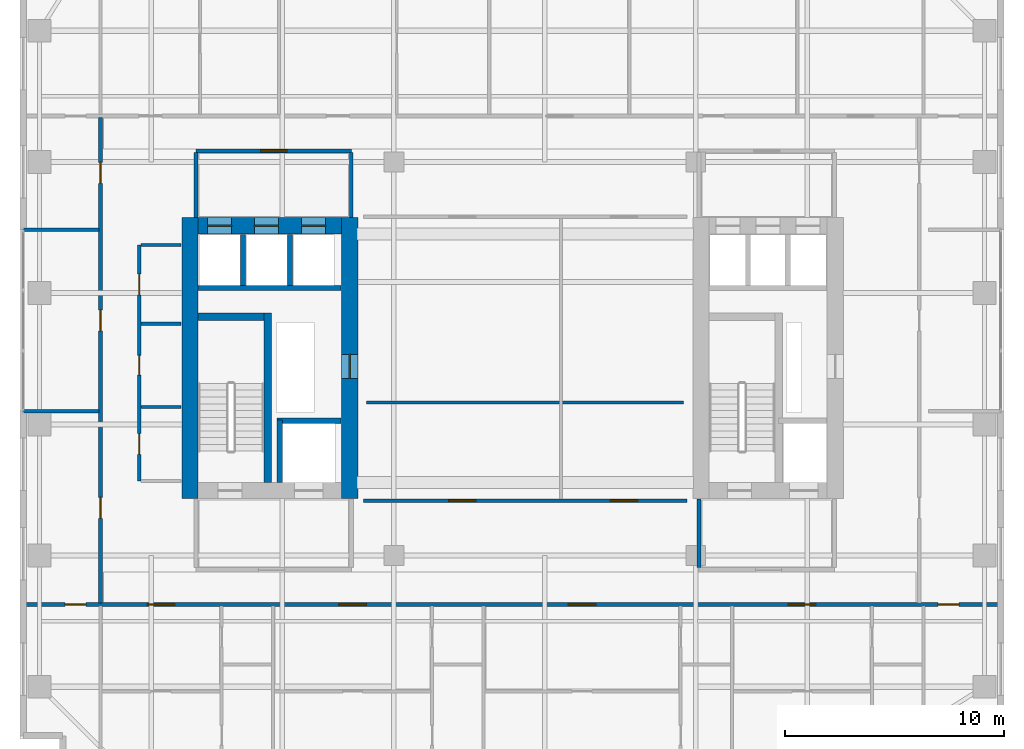
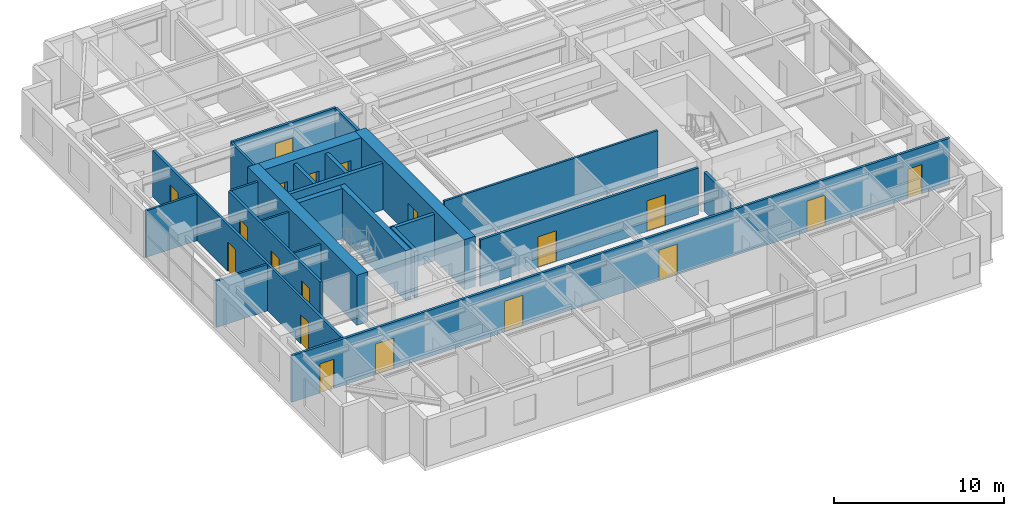
# One storey, part 13 of 20: 24 walls, 19 doors, 19 openings.
"""IFC4 building model written with IfcOpenShell, lengths in metres."""

from ifc_helpers import new_model, si_unit, direction, frame, frame_2d, origin, place, context, subcontext, project, spatial, rectangle, extrude, source, transform, mapped, material, layer, layer_set, type_object, element, fill, save


model = new_model("IFC4")

# Units and contexts
model_context = context("Model", 3, precision=1e-05, world=origin(), true_north=direction((0.0, 1.0)))
body_context = subcontext(model_context, "Body", "Model", "MODEL_VIEW")
ifc_project = project(units=[si_unit("LENGTHUNIT", "METRE"), si_unit("AREAUNIT", "SQUARE_METRE"), si_unit("VOLUMEUNIT", "CUBIC_METRE"), si_unit("PLANEANGLEUNIT", "RADIAN"), si_unit("MASSUNIT", "GRAM", prefix="KILO")], contexts=[model_context])

# Site, building, storey
site_placement = place(None, origin())
site = spatial("IfcSite", under=ifc_project, at=site_placement, CompositionType="ELEMENT")
building_placement = place(site_placement, origin())
building = spatial("IfcBuilding", under=site, at=building_placement, Name="Khoralis Quay Care Tower", CompositionType="ELEMENT")
storey_placement = place(building_placement, frame((0.0, 0.0, 116.10009765625)))
storey = spatial("IfcBuildingStorey", under=building, at=storey_placement, Name="L30", CompositionType="ELEMENT", Elevation=116.10009765625)

# Walls
ifc_material_1 = material(Name="Gypsum plasterboard on acoustic metal stud")
ifc_layer_1 = layer(ifc_material_1, 0.199951171875)
ifc_layer_set_1 = layer_set([ifc_layer_1], Name="Gypsum plasterboard on acoustic metal stud")
wall_type_1 = type_object("IfcWallType", Name="WL-COMP-200", PredefinedType="PARTITIONING", material=ifc_layer_set_1)
wall_1_placement = place(storey_placement, frame((31.050048828125, 11.445068359375, 0.0), z_axis=(0.0, 0.0, 1.0), x_axis=(0.0, 1.0, 0.0)))
element("IfcWall", 1, at=wall_1_placement, inside=storey, type_object=wall_type_1, Name="L30 East Firefighting Lobby West Wall", PredefinedType="PARTITIONING", context=body_context, shape_type="SweptSolid", body=[
    extrude(rectangle(XDim=3.135009765625, YDim=0.199951171875, at=frame_2d((1.5673828125, 0.0))), origin(), (0.0, 0.0, 1.0), 2.7958984375),
])
ifc_material_2 = material(Name="Concrete C80/95", Category="concrete")
ifc_layer_2 = layer(ifc_material_2, 0.75)
ifc_layer_set_2 = layer_set([ifc_layer_2], Name="Concrete C80/95")
wall_type_2 = type_object("IfcWallType", Name="WL-CORE-750", PredefinedType="SHEAR", material=ifc_layer_set_2)
wall_2_placement = place(storey_placement, frame((7.77490234375, 14.60009765625, 0.0), z_axis=(0.0, 0.0, 1.0), x_axis=(0.0, 1.0, 0.0)))
element("IfcWall", 2, at=wall_2_placement, inside=storey, type_object=wall_type_2, Name="L30 WCORE West Shear Wall", PredefinedType="SHEAR", context=body_context, shape_type="SweptSolid", body=[
    extrude(rectangle(XDim=12.849853515625, YDim=0.75, at=frame_2d((6.4248046875, 0.0))), origin(), (0.0, 0.0, 1.0), 3.599853515625),
])

# Wall, opening, door
wall_3_placement = place(storey_placement, frame((15.074951171875, 14.60009765625, 0.0), z_axis=(0.0, 0.0, 1.0), x_axis=(0.0, 1.0, 0.0)))
wall_3 = element("IfcWall", 3, at=wall_3_placement, inside=storey, type_object=wall_type_2, Name="L30 WCORE East Shear Wall", PredefinedType="SHEAR", context=body_context, shape_type="SweptSolid", body=[
    extrude(rectangle(XDim=12.849853515625, YDim=0.75, at=frame_2d((6.4248046875, 0.0))), origin(), (0.0, 0.0, 1.0), 3.599853515625),
])
opening_1_placement = place(wall_3_placement, frame((5.5, 0.0, 0.0)))
opening_1 = element("IfcOpeningElement", 4, at=opening_1_placement, cuts=wall_3, Name="Opening SD1", PredefinedType="OPENING", context=body_context, shape_type="SweptSolid", body=[
    extrude(rectangle(XDim=1.10009765625, YDim=2.199951171875, at=frame_2d((0.550048828125, 1.10009765625))), frame((0.0, 0.385009765625, 0.0), z_axis=(0.0, -1.0, 0.0), x_axis=(1.0, 0.0, 0.0)), (0.0, 0.0, 1.0), 0.77001953125),
])
ifc_material_3 = material(Name="Fire-rated painted steel", Category="steel")
door_type_1 = type_object("IfcDoorType", Name="DR-STAIR-1100X2200", OperationType="NOTDEFINED", PredefinedType="DOOR", material=ifc_material_3)
shared_shape_1 = source(origin(), body_context, "Body", "SweptSolid", [
    extrude(rectangle(XDim=1.10009765625, YDim=2.199951171875, at=frame_2d((0.550048828125, 1.10009765625))), frame((0.0, 0.02490234375, 0.0), z_axis=(0.0, -1.0, 0.0), x_axis=(1.0, 0.0, 0.0)), (0.0, 0.0, 1.0), 0.050048828125),
])
door_1_placement = place(opening_1_placement, origin())
door_1 = element("IfcDoor", 5, at=door_1_placement, inside=storey, type_object=door_type_1, Name="L30 West MEP Riser Door", OperationType="SINGLE_SWING_RIGHT", OverallHeight=2.199951171875, OverallWidth=1.10009765625, PredefinedType="DOOR", context=body_context, shape_type="MappedRepresentation", body=[
    mapped(shared_shape_1, transform((0.0, 0.0, 0.0), scale=1.0)),
])
fill(opening_1, door_1)

# Wall, openings, doors
wall_4_placement = place(storey_placement, frame((8.14990234375, 27.074951171875, 0.0), z_axis=(0.0, 0.0, 1.0), x_axis=(1.0, 0.0, 0.0)))
wall_4 = element("IfcWall", 6, at=wall_4_placement, inside=storey, type_object=wall_type_2, Name="L30 WCORE North Shear Wall", PredefinedType="SHEAR", context=body_context, shape_type="SweptSolid", body=[
    extrude(rectangle(XDim=6.550048828125, YDim=0.75, at=frame_2d((3.27490234375, 0.0))), origin(), (0.0, 0.0, 1.0), 3.599853515625),
])
opening_2_placement = place(wall_4_placement, frame((0.429931640625, 0.0, 0.0)))
opening_2 = element("IfcOpeningElement", 7, at=opening_2_placement, cuts=wall_4, Name="Opening LD1", PredefinedType="OPENING", context=body_context, shape_type="SweptSolid", body=[
    extrude(rectangle(XDim=1.10009765625, YDim=2.199951171875, at=frame_2d((0.550048828125, 1.10009765625))), frame((0.0, 0.385009765625, 0.0), z_axis=(0.0, -1.0, 0.0), x_axis=(1.0, 0.0, 0.0)), (0.0, 0.0, 1.0), 0.77001953125),
])
opening_3_placement = place(wall_4_placement, frame((2.570068359375, 0.0, 0.0)))
opening_3 = element("IfcOpeningElement", 8, at=opening_3_placement, cuts=wall_4, Name="Opening LD1", PredefinedType="OPENING", context=body_context, shape_type="SweptSolid", body=[
    extrude(rectangle(XDim=1.10009765625, YDim=2.199951171875, at=frame_2d((0.550048828125, 1.10009765625))), frame((0.0, 0.385009765625, 0.0), z_axis=(0.0, -1.0, 0.0), x_axis=(1.0, 0.0, 0.0)), (0.0, 0.0, 1.0), 0.77001953125),
])
opening_4_placement = place(wall_4_placement, frame((4.72998046875, 0.0, 0.0)))
opening_4 = element("IfcOpeningElement", 9, at=opening_4_placement, cuts=wall_4, Name="Opening LD1", PredefinedType="OPENING", context=body_context, shape_type="SweptSolid", body=[
    extrude(rectangle(XDim=1.10009765625, YDim=2.199951171875, at=frame_2d((0.550048828125, 1.10009765625))), frame((0.0, 0.385009765625, 0.0), z_axis=(0.0, -1.0, 0.0), x_axis=(1.0, 0.0, 0.0)), (0.0, 0.0, 1.0), 0.77001953125),
])
ifc_material_4 = material(Name="Brushed stainless steel", Category="steel")
door_type_2 = type_object("IfcDoorType", Name="DR-LIFT-1100X2200", OperationType="SLIDING_TO_LEFT", PredefinedType="DOOR", material=ifc_material_4)
shared_shape_2 = source(origin(), body_context, "Body", "SweptSolid", [
    extrude(rectangle(XDim=1.10009765625, YDim=2.199951171875, at=frame_2d((0.550048828125, 1.10009765625))), frame((0.0, 0.02490234375, 0.0), z_axis=(0.0, -1.0, 0.0), x_axis=(1.0, 0.0, 0.0)), (0.0, 0.0, 1.0), 0.050048828125),
])
door_2_placement = place(opening_2_placement, origin())
door_2 = element("IfcDoor", 10, at=door_2_placement, inside=storey, type_object=door_type_2, Name="L30 Lift PLL1 Landing Door", OperationType="SLIDING_TO_LEFT", OverallHeight=2.199951171875, OverallWidth=1.10009765625, PredefinedType="DOOR", context=body_context, shape_type="MappedRepresentation", body=[
    mapped(shared_shape_2, transform((0.0, 0.0, 0.0), scale=1.0)),
])
fill(opening_2, door_2)
door_3_placement = place(opening_3_placement, origin())
door_3 = element("IfcDoor", 11, at=door_3_placement, inside=storey, type_object=door_type_2, Name="L30 Lift PLM1 Landing Door", OperationType="SLIDING_TO_LEFT", OverallHeight=2.199951171875, OverallWidth=1.10009765625, PredefinedType="DOOR", context=body_context, shape_type="MappedRepresentation", body=[
    mapped(shared_shape_2, transform((0.0, 0.0, 0.0), scale=1.0)),
])
fill(opening_3, door_3)
door_4_placement = place(opening_4_placement, origin())
door_4 = element("IfcDoor", 12, at=door_4_placement, inside=storey, type_object=door_type_2, Name="L30 Lift PLH1 Landing Door", OperationType="SLIDING_TO_LEFT", OverallHeight=2.199951171875, OverallWidth=1.10009765625, PredefinedType="DOOR", context=body_context, shape_type="MappedRepresentation", body=[
    mapped(shared_shape_2, transform((0.0, 0.0, 0.0), scale=1.0)),
])
fill(opening_4, door_4)

# Wall, opening, door
ifc_layer_3 = layer(ifc_material_1, 0.1650390625)
ifc_layer_set_3 = layer_set([ifc_layer_3], Name="Gypsum plasterboard on acoustic metal stud")
wall_type_3 = type_object("IfcWallType", Name="WL-CORR-165", PredefinedType="PARTITIONING", material=ifc_layer_set_3)
wall_5_placement = place(storey_placement, frame((8.050048828125, 30.5, 0.0), z_axis=(0.0, 0.0, 1.0), x_axis=(1.0, 0.0, 0.0)))
wall_5 = element("IfcWall", 13, at=wall_5_placement, inside=storey, type_object=wall_type_3, Name="L30 West Lift Lobby North Wall", PredefinedType="PARTITIONING", context=body_context, shape_type="SweptSolid", body=[
    extrude(rectangle(XDim=7.099853515625, YDim=0.1650390625, at=frame_2d((3.5498046875, 0.0))), origin(), (0.0, 0.0, 1.0), 3.33984375),
])
opening_5_placement = place(wall_5_placement, frame((2.949951171875, 0.0, 0.0)))
opening_5 = element("IfcOpeningElement", 14, at=opening_5_placement, cuts=wall_5, Name="Opening FD1", PredefinedType="OPENING", context=body_context, shape_type="SweptSolid", body=[
    extrude(rectangle(XDim=1.199951171875, YDim=2.199951171875, at=frame_2d((0.60009765625, 1.10009765625))), frame((0.0, 0.092529296875, 0.0), z_axis=(0.0, -1.0, 0.0), x_axis=(1.0, 0.0, 0.0)), (0.0, 0.0, 1.0), 0.18505859375),
])
door_type_3 = type_object("IfcDoorType", Name="DR-FFL-1200X2200", OperationType="NOTDEFINED", PredefinedType="DOOR", material=ifc_material_3)
shared_shape_3 = source(origin(), body_context, "Body", "SweptSolid", [
    extrude(rectangle(XDim=1.199951171875, YDim=2.199951171875, at=frame_2d((0.60009765625, 1.10009765625))), frame((0.0, 0.02490234375, 0.0), z_axis=(0.0, -1.0, 0.0), x_axis=(1.0, 0.0, 0.0)), (0.0, 0.0, 1.0), 0.050048828125),
])
door_5_placement = place(opening_5_placement, origin())
door_5 = element("IfcDoor", 15, at=door_5_placement, inside=storey, type_object=door_type_3, Name="L30 West Lift Lobby Double Door", OperationType="DOUBLE_DOOR_SINGLE_SWING", OverallHeight=2.199951171875, OverallWidth=1.199951171875, PredefinedType="DOOR", context=body_context, shape_type="MappedRepresentation", body=[
    mapped(shared_shape_3, transform((0.0, 0.0, 0.0), scale=1.0)),
])
fill(opening_5, door_5)

# Walls
for number, where, z_axis, x_axis, name in (
    (16, (8.050048828125, 27.469970703125, 0.0), (0.0, 0.0, 1.0), (0.0, 1.0, 0.0), "L30 West Lift Lobby West Wall"),
    (17, (15.14990234375, 27.469970703125, 0.0), (0.0, 0.0, 1.0), (0.0, 1.0, 0.0), "L30 West Lift Lobby East Wall"),
):
    element("IfcWall", number, at=place(storey_placement, frame(where, z_axis=z_axis, x_axis=x_axis)), inside=storey, type_object=wall_type_3, Name=name, PredefinedType="PARTITIONING", context=body_context, shape_type="SweptSolid", body=[
        extrude(rectangle(XDim=2.95263671875, YDim=0.1650390625, at=frame_2d((1.476318359375, 0.0))), origin(), (0.0, 0.0, 1.0), 3.33984375),
    ])

# Wall, openings, doors
wall_6_placement = place(storey_placement, frame((5.449951171875, 15.39990234375, 0.0), z_axis=(0.0, 0.0, 1.0), x_axis=(0.0, 1.0, 0.0)))
wall_6 = element("IfcWall", 18, at=wall_6_placement, inside=storey, type_object=wall_type_3, Name="L30 West Core Service Flank Wall", PredefinedType="PARTITIONING", context=body_context, shape_type="SweptSolid", body=[
    extrude(rectangle(XDim=10.800048828125, YDim=0.1650390625, at=frame_2d((5.39990234375, 0.0))), origin(), (0.0, 0.0, 1.0), 3.33984375),
])
opening_6_placement = place(wall_6_placement, frame((1.22509765625, 0.0, 0.0)))
opening_6 = element("IfcOpeningElement", 19, at=opening_6_placement, cuts=wall_6, Name="Opening ID1", PredefinedType="OPENING", context=body_context, shape_type="SweptSolid", body=[
    extrude(rectangle(XDim=0.949951171875, YDim=2.10009765625, at=frame_2d((0.47509765625, 1.050048828125))), frame((0.0, 0.092529296875, 0.0), z_axis=(0.0, -1.0, 0.0), x_axis=(1.0, 0.0, 0.0)), (0.0, 0.0, 1.0), 0.18505859375),
])
opening_7_placement = place(wall_6_placement, frame((4.85009765625, 0.0, 0.0)))
opening_7 = element("IfcOpeningElement", 20, at=opening_7_placement, cuts=wall_6, Name="Opening WD1", PredefinedType="OPENING", context=body_context, shape_type="SweptSolid", body=[
    extrude(rectangle(XDim=0.89990234375, YDim=2.10009765625, at=frame_2d((0.449951171875, 1.050048828125))), frame((0.0, 0.092529296875, 0.0), z_axis=(0.0, -1.0, 0.0), x_axis=(1.0, 0.0, 0.0)), (0.0, 0.0, 1.0), 0.18505859375),
])
opening_8_placement = place(wall_6_placement, frame((8.52490234375, 0.0, 0.0)))
opening_8 = element("IfcOpeningElement", 21, at=opening_8_placement, cuts=wall_6, Name="Opening ID1", PredefinedType="OPENING", context=body_context, shape_type="SweptSolid", body=[
    extrude(rectangle(XDim=0.949951171875, YDim=2.10009765625, at=frame_2d((0.47509765625, 1.050048828125))), frame((0.0, 0.092529296875, 0.0), z_axis=(0.0, -1.0, 0.0), x_axis=(1.0, 0.0, 0.0)), (0.0, 0.0, 1.0), 0.18505859375),
])
ifc_material_5 = material(Name="Acoustic hardwood timber", Category="wood")
door_type_4 = type_object("IfcDoorType", Name="DR-BATH-900X2100", OperationType="NOTDEFINED", PredefinedType="DOOR", material=ifc_material_5)
shared_shape_4 = source(origin(), body_context, "Body", "SweptSolid", [
    extrude(rectangle(XDim=0.89990234375, YDim=2.10009765625, at=frame_2d((0.449951171875, 1.050048828125))), frame((0.0, 0.02490234375, 0.0), z_axis=(0.0, -1.0, 0.0), x_axis=(1.0, 0.0, 0.0)), (0.0, 0.0, 1.0), 0.050048828125),
])
door_6_placement = place(opening_7_placement, frame((0.89990234375, 0.0, 0.0), z_axis=(0.0, 0.0, 1.0), x_axis=(-1.0, 0.0, 0.0)))
door_6 = element("IfcDoor", 22, at=door_6_placement, inside=storey, type_object=door_type_4, Name="L30 Public Accessible WC Door", OperationType="SINGLE_SWING_RIGHT", OverallHeight=2.10009765625, OverallWidth=0.89990234375, PredefinedType="DOOR", context=body_context, shape_type="MappedRepresentation", body=[
    mapped(shared_shape_4, transform((0.0, 0.0, 0.0), scale=1.0)),
])
fill(opening_7, door_6)
door_type_5 = type_object("IfcDoorType", Name="DR-ROOM-950X2100", OperationType="NOTDEFINED", PredefinedType="DOOR", material=ifc_material_5)
shared_shape_5 = source(origin(), body_context, "Body", "SweptSolid", [
    extrude(rectangle(XDim=0.949951171875, YDim=2.10009765625, at=frame_2d((0.47509765625, 1.050048828125))), frame((0.0, 0.02490234375, 0.0), z_axis=(0.0, -1.0, 0.0), x_axis=(1.0, 0.0, 0.0)), (0.0, 0.0, 1.0), 0.050048828125),
])
door_7_placement = place(opening_6_placement, frame((0.949951171875, 0.0, 0.0), z_axis=(0.0, 0.0, 1.0), x_axis=(-1.0, 0.0, 0.0)))
door_7 = element("IfcDoor", 23, at=door_7_placement, inside=storey, type_object=door_type_5, Name="L30 Clean Utility Store Door", OperationType="SINGLE_SWING_LEFT", OverallHeight=2.10009765625, OverallWidth=0.949951171875, PredefinedType="DOOR", context=body_context, shape_type="MappedRepresentation", body=[
    mapped(shared_shape_5, transform((0.0, 0.0, 0.0), scale=1.0)),
])
fill(opening_6, door_7)
door_8_placement = place(opening_8_placement, frame((0.949951171875, 0.0, 0.0), z_axis=(0.0, 0.0, 1.0), x_axis=(-1.0, 0.0, 0.0)))
door_8 = element("IfcDoor", 24, at=door_8_placement, inside=storey, type_object=door_type_5, Name="L30 Electrical Switchboard Room Door", OperationType="SINGLE_SWING_LEFT", OverallHeight=2.10009765625, OverallWidth=0.949951171875, PredefinedType="DOOR", context=body_context, shape_type="MappedRepresentation", body=[
    mapped(shared_shape_5, transform((0.0, 0.0, 0.0), scale=1.0)),
])
fill(opening_8, door_8)

wall_7_placement = place(storey_placement, frame((0.14501953125, 9.760009765625, 0.0), z_axis=(0.0, 0.0, 1.0), x_axis=(1.0, 0.0, 0.0)))
wall_7 = element("IfcWall", 25, at=wall_7_placement, inside=storey, type_object=wall_type_3, Name="L30 South Main Corridor Wall", PredefinedType="PARTITIONING", context=body_context, shape_type="SweptSolid", body=[
    extrude(rectangle(XDim=44.7099609375, YDim=0.1650390625, at=frame_2d((22.35498046875, 0.0))), origin(), (0.0, 0.0, 1.0), 3.33984375),
])
opening_9_placement = place(wall_7_placement, frame((5.679931640625, 0.0, 0.0)))
opening_9 = element("IfcOpeningElement", 26, at=opening_9_placement, cuts=wall_7, Name="Opening CD1", PredefinedType="OPENING", context=body_context, shape_type="SweptSolid", body=[
    extrude(rectangle(XDim=1.25, YDim=2.199951171875, at=frame_2d((0.625, 1.10009765625))), frame((0.0, 0.092529296875, 0.0), z_axis=(0.0, -1.0, 0.0), x_axis=(1.0, 0.0, 0.0)), (0.0, 0.0, 1.0), 0.18505859375),
])
opening_10_placement = place(wall_7_placement, frame((14.43994140625, 0.0, 0.0)))
opening_10 = element("IfcOpeningElement", 27, at=opening_10_placement, cuts=wall_7, Name="Opening CD1", PredefinedType="OPENING", context=body_context, shape_type="SweptSolid", body=[
    extrude(rectangle(XDim=1.25, YDim=2.199951171875, at=frame_2d((0.625, 1.10009765625))), frame((0.0, 0.092529296875, 0.0), z_axis=(0.0, -1.0, 0.0), x_axis=(1.0, 0.0, 0.0)), (0.0, 0.0, 1.0), 0.18505859375),
])
opening_11_placement = place(wall_7_placement, frame((24.93505859375, 0.0, 0.0)))
opening_11 = element("IfcOpeningElement", 28, at=opening_11_placement, cuts=wall_7, Name="Opening CD1", PredefinedType="OPENING", context=body_context, shape_type="SweptSolid", body=[
    extrude(rectangle(XDim=1.25, YDim=2.199951171875, at=frame_2d((0.625, 1.10009765625))), frame((0.0, 0.092529296875, 0.0), z_axis=(0.0, -1.0, 0.0), x_axis=(1.0, 0.0, 0.0)), (0.0, 0.0, 1.0), 0.18505859375),
])
opening_12_placement = place(wall_7_placement, frame((34.9951171875, 0.0, 0.0)))
opening_12 = element("IfcOpeningElement", 29, at=opening_12_placement, cuts=wall_7, Name="Opening CD1", PredefinedType="OPENING", context=body_context, shape_type="SweptSolid", body=[
    extrude(rectangle(XDim=1.25, YDim=2.199951171875, at=frame_2d((0.625, 1.10009765625))), frame((0.0, 0.092529296875, 0.0), z_axis=(0.0, -1.0, 0.0), x_axis=(1.0, 0.0, 0.0)), (0.0, 0.0, 1.0), 0.18505859375),
])
opening_13_placement = place(wall_7_placement, frame((1.919921875, 0.0, 0.0)))
opening_13 = element("IfcOpeningElement", 30, at=opening_13_placement, cuts=wall_7, Name="Opening ID1", PredefinedType="OPENING", context=body_context, shape_type="SweptSolid", body=[
    extrude(rectangle(XDim=0.949951171875, YDim=2.10009765625, at=frame_2d((0.47509765625, 1.050048828125))), frame((0.0, 0.092529296875, 0.0), z_axis=(0.0, -1.0, 0.0), x_axis=(1.0, 0.0, 0.0)), (0.0, 0.0, 1.0), 0.18505859375),
])
opening_14_placement = place(wall_7_placement, frame((41.840087890625, 0.0, 0.0)))
opening_14 = element("IfcOpeningElement", 31, at=opening_14_placement, cuts=wall_7, Name="Opening ID1", PredefinedType="OPENING", context=body_context, shape_type="SweptSolid", body=[
    extrude(rectangle(XDim=0.949951171875, YDim=2.10009765625, at=frame_2d((0.47509765625, 1.050048828125))), frame((0.0, 0.092529296875, 0.0), z_axis=(0.0, -1.0, 0.0), x_axis=(1.0, 0.0, 0.0)), (0.0, 0.0, 1.0), 0.18505859375),
])
door_type_6 = type_object("IfcDoorType", Name="DR-CARE-1250X2200", OperationType="NOTDEFINED", PredefinedType="DOOR", material=ifc_material_5)
shared_shape_6 = source(origin(), body_context, "Body", "SweptSolid", [
    extrude(rectangle(XDim=1.25, YDim=2.199951171875, at=frame_2d((0.625, 1.10009765625))), frame((0.0, 0.02490234375, 0.0), z_axis=(0.0, -1.0, 0.0), x_axis=(1.0, 0.0, 0.0)), (0.0, 0.0, 1.0), 0.050048828125),
])
door_9_placement = place(opening_9_placement, frame((1.25, 0.0, 0.0), z_axis=(0.0, 0.0, 1.0), x_axis=(-1.0, 0.0, 0.0)))
door_9 = element("IfcDoor", 32, at=door_9_placement, inside=storey, type_object=door_type_6, Name="L30 Care Suite SB0 Clinical Door", OperationType="SINGLE_SWING_RIGHT", OverallHeight=2.199951171875, OverallWidth=1.25, PredefinedType="DOOR", context=body_context, shape_type="MappedRepresentation", body=[
    mapped(shared_shape_6, transform((0.0, 0.0, 0.0), scale=1.0)),
])
fill(opening_9, door_9)
door_10_placement = place(opening_10_placement, frame((1.25, 0.0, 0.0), z_axis=(0.0, 0.0, 1.0), x_axis=(-1.0, 0.0, 0.0)))
door_10 = element("IfcDoor", 33, at=door_10_placement, inside=storey, type_object=door_type_6, Name="L30 Care Suite SB1 Clinical Door", OperationType="SINGLE_SWING_LEFT", OverallHeight=2.199951171875, OverallWidth=1.25, PredefinedType="DOOR", context=body_context, shape_type="MappedRepresentation", body=[
    mapped(shared_shape_6, transform((0.0, 0.0, 0.0), scale=1.0)),
])
fill(opening_10, door_10)
door_11_placement = place(opening_11_placement, frame((1.25, 0.0, 0.0), z_axis=(0.0, 0.0, 1.0), x_axis=(-1.0, 0.0, 0.0)))
door_11 = element("IfcDoor", 34, at=door_11_placement, inside=storey, type_object=door_type_6, Name="L30 Care Suite SB2 Clinical Door", OperationType="SINGLE_SWING_RIGHT", OverallHeight=2.199951171875, OverallWidth=1.25, PredefinedType="DOOR", context=body_context, shape_type="MappedRepresentation", body=[
    mapped(shared_shape_6, transform((0.0, 0.0, 0.0), scale=1.0)),
])
fill(opening_11, door_11)
door_12_placement = place(opening_12_placement, frame((1.25, 0.0, 0.0), z_axis=(0.0, 0.0, 1.0), x_axis=(-1.0, 0.0, 0.0)))
door_12 = element("IfcDoor", 35, at=door_12_placement, inside=storey, type_object=door_type_6, Name="L30 Care Suite SB3 Clinical Door", OperationType="SINGLE_SWING_LEFT", OverallHeight=2.199951171875, OverallWidth=1.25, PredefinedType="DOOR", context=body_context, shape_type="MappedRepresentation", body=[
    mapped(shared_shape_6, transform((0.0, 0.0, 0.0), scale=1.0)),
])
fill(opening_12, door_12)
door_13_placement = place(opening_13_placement, frame((0.949951171875, 0.0, 0.0), z_axis=(0.0, 0.0, 1.0), x_axis=(-1.0, 0.0, 0.0)))
door_13 = element("IfcDoor", 36, at=door_13_placement, inside=storey, type_object=door_type_5, Name="L30 SW Corner Door", OperationType="SINGLE_SWING_LEFT", OverallHeight=2.10009765625, OverallWidth=0.949951171875, PredefinedType="DOOR", context=body_context, shape_type="MappedRepresentation", body=[
    mapped(shared_shape_5, transform((0.0, 0.0, 0.0), scale=1.0)),
])
fill(opening_13, door_13)
door_14_placement = place(opening_14_placement, frame((0.949951171875, 0.0, 0.0), z_axis=(0.0, 0.0, 1.0), x_axis=(-1.0, 0.0, 0.0)))
door_14 = element("IfcDoor", 37, at=door_14_placement, inside=storey, type_object=door_type_5, Name="L30 SE Corner Door", OperationType="SINGLE_SWING_RIGHT", OverallHeight=2.10009765625, OverallWidth=0.949951171875, PredefinedType="DOOR", context=body_context, shape_type="MappedRepresentation", body=[
    mapped(shared_shape_5, transform((0.0, 0.0, 0.0), scale=1.0)),
])
fill(opening_14, door_14)

wall_8_placement = place(storey_placement, frame((3.679931640625, 9.83740234375, 0.0), z_axis=(0.0, 0.0, 1.0), x_axis=(0.0, 1.0, 0.0)))
wall_8 = element("IfcWall", 38, at=wall_8_placement, inside=storey, type_object=wall_type_3, Name="L30 West Loop Corridor Wall", PredefinedType="PARTITIONING", context=body_context, shape_type="SweptSolid", body=[
    extrude(rectangle(XDim=22.18505859375, YDim=0.1650390625, at=frame_2d((11.092529296875, 0.0))), origin(), (0.0, 0.0, 1.0), 3.33984375),
])
opening_15_placement = place(wall_8_placement, frame((3.867431640625, 0.0, 0.0)))
opening_15 = element("IfcOpeningElement", 39, at=opening_15_placement, cuts=wall_8, Name="Opening ID1", PredefinedType="OPENING", context=body_context, shape_type="SweptSolid", body=[
    extrude(rectangle(XDim=0.949951171875, YDim=2.10009765625, at=frame_2d((0.47509765625, 1.050048828125))), frame((0.0, 0.092529296875, 0.0), z_axis=(0.0, -1.0, 0.0), x_axis=(1.0, 0.0, 0.0)), (0.0, 0.0, 1.0), 0.18505859375),
])
opening_16_placement = place(wall_8_placement, frame((12.4375, 0.0, 0.0)))
opening_16 = element("IfcOpeningElement", 40, at=opening_16_placement, cuts=wall_8, Name="Opening ID1", PredefinedType="OPENING", context=body_context, shape_type="SweptSolid", body=[
    extrude(rectangle(XDim=0.949951171875, YDim=2.10009765625, at=frame_2d((0.47509765625, 1.050048828125))), frame((0.0, 0.092529296875, 0.0), z_axis=(0.0, -1.0, 0.0), x_axis=(1.0, 0.0, 0.0)), (0.0, 0.0, 1.0), 0.18505859375),
])
opening_17_placement = place(wall_8_placement, frame((19.1875, 0.0, 0.0)))
opening_17 = element("IfcOpeningElement", 41, at=opening_17_placement, cuts=wall_8, Name="Opening ID1", PredefinedType="OPENING", context=body_context, shape_type="SweptSolid", body=[
    extrude(rectangle(XDim=0.949951171875, YDim=2.10009765625, at=frame_2d((0.47509765625, 1.050048828125))), frame((0.0, 0.092529296875, 0.0), z_axis=(0.0, -1.0, 0.0), x_axis=(1.0, 0.0, 0.0)), (0.0, 0.0, 1.0), 0.18505859375),
])
door_15_placement = place(opening_15_placement, origin())
door_15 = element("IfcDoor", 42, at=door_15_placement, inside=storey, type_object=door_type_5, Name="L30 Therapy Consultation Room Door", OperationType="SINGLE_SWING_LEFT", OverallHeight=2.10009765625, OverallWidth=0.949951171875, PredefinedType="DOOR", context=body_context, shape_type="MappedRepresentation", body=[
    mapped(shared_shape_5, transform((0.0, 0.0, 0.0), scale=1.0)),
])
fill(opening_15, door_15)
door_16_placement = place(opening_16_placement, origin())
door_16 = element("IfcDoor", 43, at=door_16_placement, inside=storey, type_object=door_type_5, Name="L30 Assisted Activity Lounge Door", OperationType="SINGLE_SWING_RIGHT", OverallHeight=2.10009765625, OverallWidth=0.949951171875, PredefinedType="DOOR", context=body_context, shape_type="MappedRepresentation", body=[
    mapped(shared_shape_5, transform((0.0, 0.0, 0.0), scale=1.0)),
])
fill(opening_16, door_16)
door_17_placement = place(opening_17_placement, origin())
door_17 = element("IfcDoor", 44, at=door_17_placement, inside=storey, type_object=door_type_5, Name="L30 Nurse Charting Office Door", OperationType="SINGLE_SWING_LEFT", OverallHeight=2.10009765625, OverallWidth=0.949951171875, PredefinedType="DOOR", context=body_context, shape_type="MappedRepresentation", body=[
    mapped(shared_shape_5, transform((0.0, 0.0, 0.0), scale=1.0)),
])
fill(opening_17, door_17)

wall_9_placement = place(storey_placement, frame((15.699951171875, 14.5, 0.0), z_axis=(0.0, 0.0, 1.0), x_axis=(1.0, 0.0, 0.0)))
wall_9 = element("IfcWall", 45, at=wall_9_placement, inside=storey, type_object=wall_type_3, Name="L30 Central Clinical South Wall", PredefinedType="PARTITIONING", context=body_context, shape_type="SweptSolid", body=[
    extrude(rectangle(XDim=14.800048828125, YDim=0.1650390625, at=frame_2d((7.39990234375, 0.0))), origin(), (0.0, 0.0, 1.0), 3.33984375),
])
opening_18_placement = place(wall_9_placement, frame((3.89990234375, 0.0, 0.0)))
opening_18 = element("IfcOpeningElement", 46, at=opening_18_placement, cuts=wall_9, Name="Opening CD1", PredefinedType="OPENING", context=body_context, shape_type="SweptSolid", body=[
    extrude(rectangle(XDim=1.25, YDim=2.199951171875, at=frame_2d((0.625, 1.10009765625))), frame((0.0, 0.092529296875, 0.0), z_axis=(0.0, -1.0, 0.0), x_axis=(1.0, 0.0, 0.0)), (0.0, 0.0, 1.0), 0.18505859375),
])
opening_19_placement = place(wall_9_placement, frame((11.300048828125, 0.0, 0.0)))
opening_19 = element("IfcOpeningElement", 47, at=opening_19_placement, cuts=wall_9, Name="Opening CD1", PredefinedType="OPENING", context=body_context, shape_type="SweptSolid", body=[
    extrude(rectangle(XDim=1.25, YDim=2.199951171875, at=frame_2d((0.625, 1.10009765625))), frame((0.0, 0.092529296875, 0.0), z_axis=(0.0, -1.0, 0.0), x_axis=(1.0, 0.0, 0.0)), (0.0, 0.0, 1.0), 0.18505859375),
])
door_18_placement = place(opening_18_placement, origin())
door_18 = element("IfcDoor", 48, at=door_18_placement, inside=storey, type_object=door_type_6, Name="L30 Nurse Station Door", OperationType="SINGLE_SWING_LEFT", OverallHeight=2.199951171875, OverallWidth=1.25, PredefinedType="DOOR", context=body_context, shape_type="MappedRepresentation", body=[
    mapped(shared_shape_6, transform((0.0, 0.0, 0.0), scale=1.0)),
])
fill(opening_18, door_18)
door_19_placement = place(opening_19_placement, origin())
door_19 = element("IfcDoor", 49, at=door_19_placement, inside=storey, type_object=door_type_6, Name="L30 Treatment Clinic Door", OperationType="SINGLE_SWING_RIGHT", OverallHeight=2.199951171875, OverallWidth=1.25, PredefinedType="DOOR", context=body_context, shape_type="MappedRepresentation", body=[
    mapped(shared_shape_6, transform((0.0, 0.0, 0.0), scale=1.0)),
])
fill(opening_19, door_19)

# Walls
ifc_material_6 = material(Name="Moisture-resistant gypsum and ceramic tile")
ifc_layer_4 = layer(ifc_material_6, 0.280029296875)
ifc_layer_set_4 = layer_set([ifc_layer_4], Name="Moisture-resistant gypsum and ceramic tile")
wall_type_4 = type_object("IfcWallType", Name="WL-PLUMB-280", PredefinedType="PLUMBINGWALL", material=ifc_layer_set_4)
wall_10_placement = place(storey_placement, frame((5.527587890625, 18.800048828125, 0.0), z_axis=(0.0, 0.0, 1.0), x_axis=(1.0, 0.0, 0.0)))
element("IfcWall", 50, at=wall_10_placement, inside=storey, type_object=wall_type_4, Name="L30 West Flank Divider 1", PredefinedType="PLUMBINGWALL", context=body_context, shape_type="SweptSolid", body=[
    extrude(rectangle(XDim=1.83251953125, YDim=0.139892578125, at=frame_2d((0.916259765625, 0.0))), origin(), (0.0, 0.0, 1.0), 3.33984375),
])
ifc_material_7 = material(Name="Concrete C40/50", Category="concrete")
ifc_layer_5 = layer(ifc_material_7, 0.35009765625)
ifc_layer_set_5 = layer_set([ifc_layer_5], Name="Concrete C40/50")
wall_type_5 = type_object("IfcWallType", Name="WL-SC-CORE-350", PredefinedType="SHEAR", material=ifc_layer_set_5)
wall_11_placement = place(storey_placement, frame((11.324951171875, 15.35009765625, 0.0), z_axis=(0.0, 0.0, 1.0), x_axis=(0.0, 1.0, 0.0)))
element("IfcWall", 51, at=wall_11_placement, inside=storey, type_object=wall_type_5, Name="L30 Stair ST-T1 Shear Baffle Wall East", PredefinedType="SHEAR", context=body_context, shape_type="SweptSolid", body=[
    extrude(rectangle(XDim=7.75, YDim=0.35009765625, at=frame_2d((3.875, 0.0))), origin(), (0.0, 0.0, 1.0), 3.599853515625),
])
wall_12_placement = place(storey_placement, frame((8.14990234375, 22.925048828125, 0.0), z_axis=(0.0, 0.0, 1.0), x_axis=(1.0, 0.0, 0.0)))
element("IfcWall", 52, at=wall_12_placement, inside=storey, type_object=wall_type_5, Name="L30 Stair ST-T1 Shear Baffle Wall North", PredefinedType="SHEAR", context=body_context, shape_type="SweptSolid", body=[
    extrude(rectangle(XDim=3.0, YDim=0.35009765625, at=frame_2d((1.5, 0.0))), origin(), (0.0, 0.0, 1.0), 3.599853515625),
])
ifc_layer_6 = layer(ifc_material_1, 0.239990234375)
ifc_layer_set_6 = layer_set([ifc_layer_6], Name="Gypsum plasterboard on acoustic metal stud")
wall_type_6 = type_object("IfcWallType", Name="WL-SHAFT-240", PredefinedType="PARTITIONING", material=ifc_layer_set_6)
wall_13_placement = place(storey_placement, frame((11.8798828125, 15.35009765625, 0.0), z_axis=(0.0, 0.0, 1.0), x_axis=(0.0, 1.0, 0.0)))
element("IfcWall", 53, at=wall_13_placement, inside=storey, type_object=wall_type_6, Name="L30 FFL-1 Shaft Wall West", PredefinedType="PARTITIONING", context=body_context, shape_type="SweptSolid", body=[
    extrude(rectangle(XDim=2.849853515625, YDim=0.239990234375, at=frame_2d((1.4248046875, 0.0))), origin(), (0.0, 0.0, 1.0), 3.33984375),
])
wall_14_placement = place(storey_placement, frame((11.760009765625, 18.169921875, 0.0), z_axis=(0.0, 0.0, 1.0), x_axis=(1.0, 0.0, 0.0)))
element("IfcWall", 54, at=wall_14_placement, inside=storey, type_object=wall_type_6, Name="L30 FFL-1 Shaft Wall North", PredefinedType="PARTITIONING", context=body_context, shape_type="SweptSolid", body=[
    extrude(rectangle(XDim=2.919921875, YDim=0.239990234375, at=frame_2d((1.4599609375, 0.0))), origin(), (0.0, 0.0, 1.0), 3.33984375),
])
wall_15_placement = place(storey_placement, frame((8.14990234375, 24.22998046875, 0.0), z_axis=(0.0, 0.0, 1.0), x_axis=(1.0, 0.0, 0.0)))
element("IfcWall", 55, at=wall_15_placement, inside=storey, type_object=wall_type_6, Name="L30 West Passenger Shaft South Wall", PredefinedType="PARTITIONING", context=body_context, shape_type="SweptSolid", body=[
    extrude(rectangle(XDim=6.530029296875, YDim=0.239990234375, at=frame_2d((3.26513671875, 0.0))), origin(), (0.0, 0.0, 1.0), 3.33984375),
])
for number, where, z_axis, x_axis, name in (
    (56, (10.199951171875, 24.344970703125, 0.0), (0.0, 0.0, 1.0), (0.0, 1.0, 0.0), "L30 West Shaft Divider 1"),
    (57, (12.35009765625, 24.344970703125, 0.0), (0.0, 0.0, 1.0), (0.0, 1.0, 0.0), "L30 West Shaft Divider 2"),
):
    element("IfcWall", number, at=place(storey_placement, frame(where, z_axis=z_axis, x_axis=x_axis)), inside=storey, type_object=wall_type_6, Name=name, PredefinedType="PARTITIONING", context=body_context, shape_type="SweptSolid", body=[
        extrude(rectangle(XDim=2.3349609375, YDim=0.239990234375, at=frame_2d((1.16748046875, 0.0))), origin(), (0.0, 0.0, 1.0), 3.33984375),
    ])
ifc_layer_7 = layer(ifc_material_1, 0.139892578125)
ifc_layer_set_7 = layer_set([ifc_layer_7], Name="Gypsum plasterboard on acoustic metal stud")
wall_type_7 = type_object("IfcWallType", Name="WL-UNIT-140", PredefinedType="PARTITIONING", material=ifc_layer_set_7)
for number, where, z_axis, x_axis, name in (
    (58, (5.527587890625, 26.199951171875, 0.0), (0.0, 0.0, 1.0), (1.0, 0.0, 0.0), "L30 West Flank North Cap"),
    (59, (5.527587890625, 22.60009765625, 0.0), (0.0, 0.0, 1.0), (1.0, 0.0, 0.0), "L30 West Flank Divider 2"),
):
    element("IfcWall", number, at=place(storey_placement, frame(where, z_axis=z_axis, x_axis=x_axis)), inside=storey, type_object=wall_type_7, Name=name, PredefinedType="PARTITIONING", context=body_context, shape_type="SweptSolid", body=[
        extrude(rectangle(XDim=1.83251953125, YDim=0.139892578125, at=frame_2d((0.916259765625, 0.0))), origin(), (0.0, 0.0, 1.0), 3.33984375),
    ])
for number, where, z_axis, x_axis, name in (
    (60, (0.14501953125, 18.60009765625, 0.0), (0.0, 0.0, 1.0), (1.0, 0.0, 0.0), "L30 WW Divider 1"),
    (61, (0.14501953125, 26.89990234375, 0.0), (0.0, 0.0, 1.0), (1.0, 0.0, 0.0), "L30 WW Divider 2"),
):
    element("IfcWall", number, at=place(storey_placement, frame(where, z_axis=z_axis, x_axis=x_axis)), inside=storey, type_object=wall_type_7, Name=name, PredefinedType="PARTITIONING", context=body_context, shape_type="SweptSolid", body=[
        extrude(rectangle(XDim=3.45751953125, YDim=0.139892578125, at=frame_2d((1.728759765625, 0.0))), origin(), (0.0, 0.0, 1.0), 3.33984375),
    ])
wall_16_placement = place(storey_placement, frame((15.85009765625, 19.0, 0.0), z_axis=(0.0, 0.0, 1.0), x_axis=(1.0, 0.0, 0.0)))
element("IfcWall", 62, at=wall_16_placement, inside=storey, type_object=wall_type_7, Name="L30 Central Split H", PredefinedType="PARTITIONING", context=body_context, shape_type="SweptSolid", body=[
    extrude(rectangle(XDim=14.5, YDim=0.139892578125, at=frame_2d((7.25, 0.0))), origin(), (0.0, 0.0, 1.0), 3.33984375),
])

save(model, "model.ifc")
